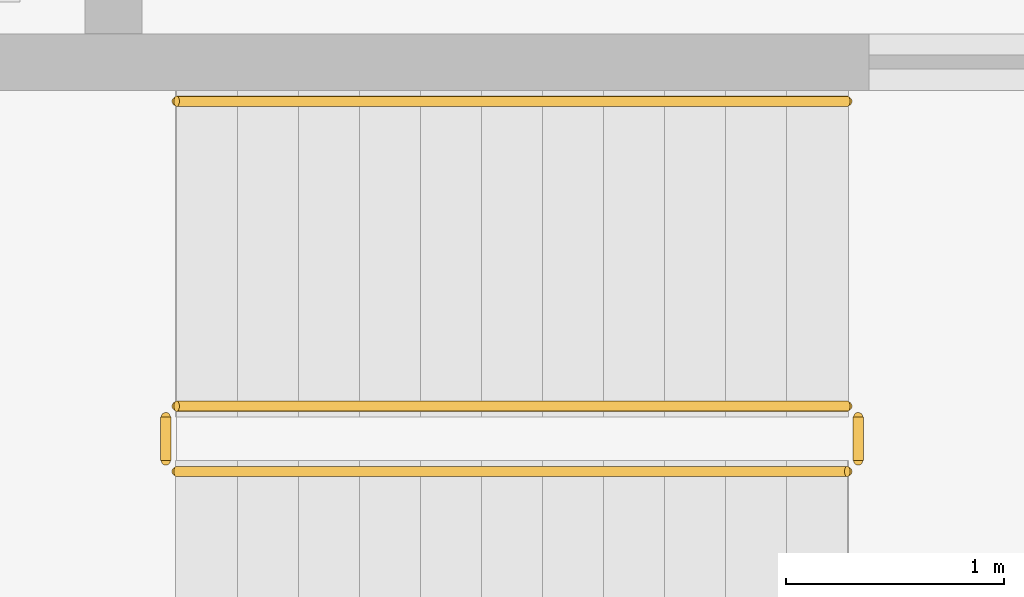
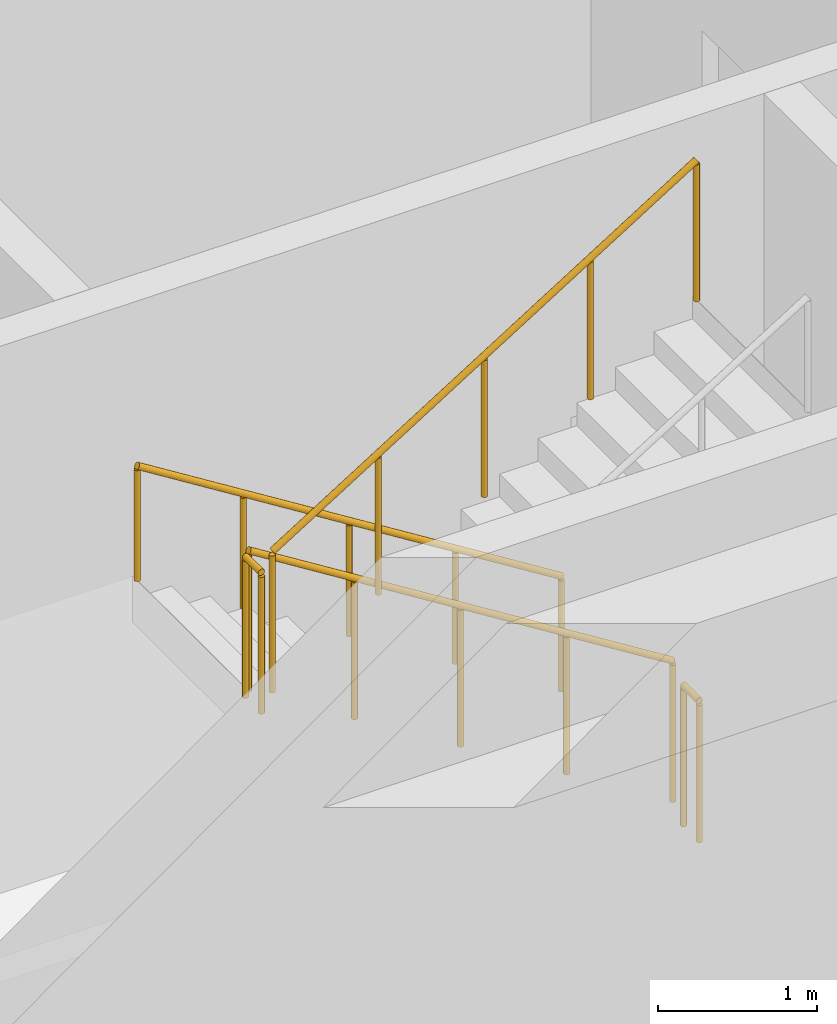
# One storey, part 33 of 41: 5 railings.
"""IFC4 building model written with IfcOpenShell, lengths in metres."""

from ifc_helpers import new_model, si_unit, direction, frame, origin, origin_2d, place, context, subcontext, project, spatial, circle, extrude, material, type_object, element, save


model = new_model("IFC4")

# Units and contexts
model_context = context("Model", 3, precision=1e-05, world=origin(), true_north=direction((0.0, 1.0)))
body_context = subcontext(model_context, "Body", "Model", "MODEL_VIEW")
ifc_project = project(units=[si_unit("LENGTHUNIT", "METRE"), si_unit("AREAUNIT", "SQUARE_METRE"), si_unit("VOLUMEUNIT", "CUBIC_METRE"), si_unit("PLANEANGLEUNIT", "RADIAN"), si_unit("MASSUNIT", "GRAM", prefix="KILO")], contexts=[model_context])

# Site, building, storey
site_placement = place(None, origin())
site = spatial("IfcSite", under=ifc_project, at=site_placement, CompositionType="ELEMENT")
building_placement = place(site_placement, origin())
building = spatial("IfcBuilding", under=site, at=building_placement, Name="Fikremerkos Civic Library", CompositionType="ELEMENT")
storey_placement = place(building_placement, frame((0.0, 0.0, -8.39990234375)))
storey = spatial("IfcBuildingStorey", under=building, at=storey_placement, Name="B02", CompositionType="ELEMENT", Elevation=-8.39990234375)

# Railings
ifc_material_1 = material(Name="Painted Steel S275", Category="steel")
railing_type_1 = type_object("IfcRailingType", Name="Interior balustrade guard RLG-INT 1100", PredefinedType="BALUSTRADE", material=ifc_material_1)
railing_1_placement = place(storey_placement, frame((53.5, 24.25, 0.1748046875)))
element("IfcRailing", 1, at=railing_1_placement, inside=storey, type_object=railing_type_1, Name="B02 ST-K3 stair guard 1", PredefinedType="BALUSTRADE", context=body_context, shape_type="SweptSolid", body=[
    extrude(circle(Radius=0.02392578125, at=origin_2d()), frame((0.0, 0.0, 1.076171875), z_axis=(-0.847998304005, 0.0, 0.529998940003), x_axis=(0.0, -1.0, 0.0)), (0.0, 0.0, 1.0), 3.632080078125),
    extrude(circle(Radius=0.02099609375, at=origin_2d()), origin(), (0.0, 0.0, 1.0), 1.052001953125),
    extrude(circle(Radius=0.02099609375, at=origin_2d()), frame((-0.77001953125, 0.0, 0.481201171875)), (0.0, 0.0, 1.0), 1.052001953125),
    extrude(circle(Radius=0.02099609375, at=origin_2d()), frame((-1.5400390625, 0.0, 0.96240234375)), (0.0, 0.0, 1.0), 1.052001953125),
    extrude(circle(Radius=0.02099609375, at=origin_2d()), frame((-2.31005859375, 0.0, 1.44384765625)), (0.0, 0.0, 1.0), 1.052001953125),
    extrude(circle(Radius=0.02099609375, at=origin_2d()), frame((-3.080078125, 0.0, 1.925048828125)), (0.0, 0.0, 1.0), 1.052001953125),
])
railing_2_placement = place(storey_placement, frame((50.3701171875, 24.199951171875, 2.099853515625)))
element("IfcRailing", 2, at=railing_2_placement, inside=storey, type_object=railing_type_1, Name="B02 ST-K3 stair guard 2", PredefinedType="BALUSTRADE", context=body_context, shape_type="SweptSolid", body=[
    extrude(circle(Radius=0.02392578125, at=origin_2d()), frame((0.0, 0.0, 1.076171875), z_axis=(0.0, -1.0, 0.0), x_axis=(1.0, 0.0, 0.0)), (0.0, 0.0, 1.0), 0.199951171875),
    extrude(circle(Radius=0.02099609375, at=origin_2d()), origin(), (0.0, 0.0, 1.0), 1.052001953125),
    extrude(circle(Radius=0.02099609375, at=origin_2d()), frame((0.0, -0.199951171875, 0.0)), (0.0, 0.0, 1.0), 1.052001953125),
])
railing_3_placement = place(storey_placement, frame((50.419921875, 23.949951171875, 2.27490234375)))
element("IfcRailing", 3, at=railing_3_placement, inside=storey, type_object=railing_type_1, Name="B02 ST-K3 stair guard 3", PredefinedType="BALUSTRADE", context=body_context, shape_type="SweptSolid", body=[
    extrude(circle(Radius=0.02392578125, at=origin_2d()), frame((0.0, 0.0, 1.076171875), z_axis=(0.847998304005, 0.0, 0.529998940003), x_axis=(0.0, 1.0, 0.0)), (0.0, 0.0, 1.0), 3.632080078125),
    extrude(circle(Radius=0.02099609375, at=origin_2d()), origin(), (0.0, 0.0, 1.0), 1.052001953125),
    extrude(circle(Radius=0.02099609375, at=origin_2d()), frame((0.77001953125, 0.0, 0.481201171875)), (0.0, 0.0, 1.0), 1.052001953125),
    extrude(circle(Radius=0.02099609375, at=origin_2d()), frame((1.5400390625, 0.0, 0.96240234375)), (0.0, 0.0, 1.0), 1.052001953125),
    extrude(circle(Radius=0.02099609375, at=origin_2d()), frame((2.31005859375, 0.0, 1.44384765625)), (0.0, 0.0, 1.0), 1.052001953125),
    extrude(circle(Radius=0.02099609375, at=origin_2d()), frame((3.080078125, 0.0, 1.925048828125)), (0.0, 0.0, 1.0), 1.052001953125),
])
railing_4_placement = place(storey_placement, frame((53.550048828125, 24.199951171875, 0.0)))
element("IfcRailing", 4, at=railing_4_placement, inside=storey, type_object=railing_type_1, Name="B02 ST-K3 stair guard 4", PredefinedType="BALUSTRADE", context=body_context, shape_type="SweptSolid", body=[
    extrude(circle(Radius=0.02392578125, at=origin_2d()), frame((0.0, 0.0, 1.076171875), z_axis=(0.0, -1.0, 0.0), x_axis=(1.0, 0.0, 0.0)), (0.0, 0.0, 1.0), 0.199951171875),
    extrude(circle(Radius=0.02099609375, at=origin_2d()), origin(), (0.0, 0.0, 1.0), 1.052001953125),
    extrude(circle(Radius=0.02099609375, at=origin_2d()), frame((0.0, -0.199951171875, 0.0)), (0.0, 0.0, 1.0), 1.052001953125),
])
ifc_material_2 = material(Name="Brushed stainless steel", Category="steel")
railing_type_2 = type_object("IfcRailingType", Name="Wall and flight handrail HRL-01 900", PredefinedType="HANDRAIL", material=ifc_material_2)
railing_5_placement = place(storey_placement, frame((53.5, 25.64990234375, 0.1748046875)))
element("IfcRailing", 5, at=railing_5_placement, inside=storey, type_object=railing_type_2, Name="B02 ST-K3 stair handrail 1", PredefinedType="HANDRAIL", context=body_context, shape_type="SweptSolid", body=[
    extrude(circle(Radius=0.02392578125, at=origin_2d()), frame((0.0, 0.0, 0.8759765625), z_axis=(-0.847998304005, 0.0, 0.529998940003), x_axis=(0.0, -1.0, 0.0)), (0.0, 0.0, 1.0), 3.632080078125),
    extrude(circle(Radius=0.02099609375, at=origin_2d()), origin(), (0.0, 0.0, 1.0), 0.851806640625),
    extrude(circle(Radius=0.02099609375, at=origin_2d()), frame((-0.77001953125, 0.0, 0.481201171875)), (0.0, 0.0, 1.0), 0.851806640625),
    extrude(circle(Radius=0.02099609375, at=origin_2d()), frame((-1.5400390625, 0.0, 0.96240234375)), (0.0, 0.0, 1.0), 0.851806640625),
    extrude(circle(Radius=0.02099609375, at=origin_2d()), frame((-2.31005859375, 0.0, 1.44384765625)), (0.0, 0.0, 1.0), 0.851806640625),
    extrude(circle(Radius=0.02099609375, at=origin_2d()), frame((-3.080078125, 0.0, 1.925048828125)), (0.0, 0.0, 1.0), 0.851806640625),
])

save(model, "model.ifc")
